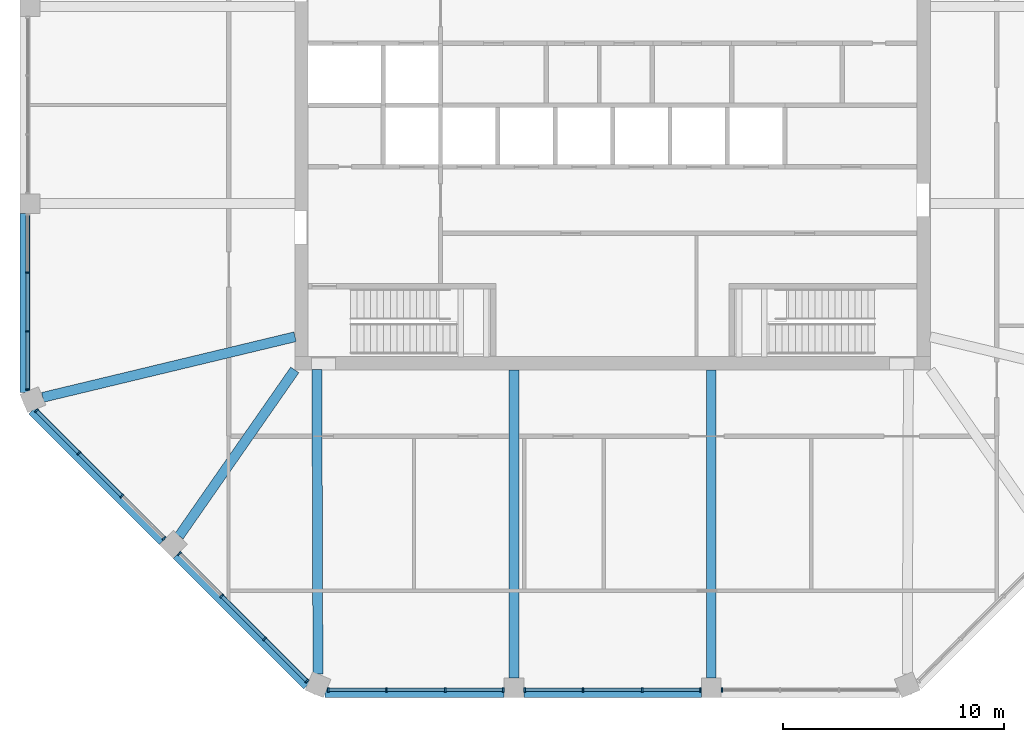
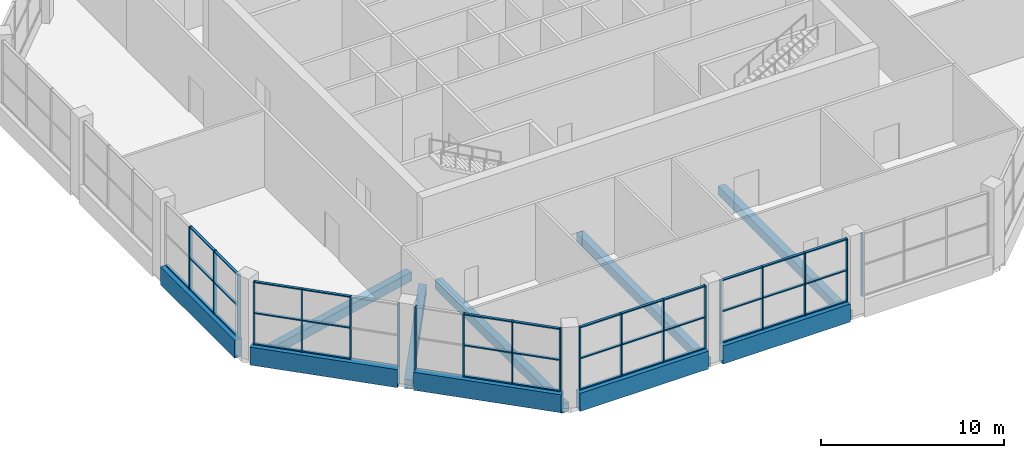
# One storey, part 2 of 15: 57 members, 10 beams, 6 elements without a shape of their own.
"""IFC4 building model written with IfcOpenShell, lengths in metres."""

from ifc_helpers import new_model, si_unit, direction, frame, origin, origin_2d, place, context, subcontext, project, spatial, rectangle, extrude, material, material_profile, profile_set, type_object, element, aggregate, save


model = new_model("IFC4")

# Units and contexts
model_context = context("Model", 3, precision=1e-05, world=origin(), true_north=direction((0.0, 1.0)))
body_context = subcontext(model_context, "Body", "Model", "MODEL_VIEW")
ifc_project = project(units=[si_unit("LENGTHUNIT", "METRE"), si_unit("AREAUNIT", "SQUARE_METRE"), si_unit("VOLUMEUNIT", "CUBIC_METRE"), si_unit("PLANEANGLEUNIT", "RADIAN"), si_unit("MASSUNIT", "GRAM", prefix="KILO")], contexts=[model_context])

# Site, building, storey
site_placement = place(None, origin())
site = spatial("IfcSite", under=ifc_project, at=site_placement, CompositionType="ELEMENT")
building_placement = place(site_placement, origin())
building = spatial("IfcBuilding", under=site, at=building_placement, Name="Msitu Wima Residences", CompositionType="ELEMENT")
storey_placement = place(building_placement, frame((0.0, 0.0, 314.699951171875)))
storey = spatial("IfcBuildingStorey", under=building, at=storey_placement, Name="L73", CompositionType="ELEMENT", Elevation=314.699951171875)

# Beams
ifc_material_1 = material(Name="Concrete C50/60", Category="concrete")
ifc_material_profile_1 = material_profile(ifc_material_1, rectangle(XDim=0.449951171875, YDim=0.60009765625, at=origin_2d()), Name="RC 450x600")
ifc_profile_set_1 = profile_set([ifc_material_profile_1], Name="Concrete C50/60")
beam_type_1 = type_object("IfcBeamType", Name="Beam RC 450x600 Concrete C50/60", PredefinedType="BEAM", material=ifc_profile_set_1)
beam_1_placement = place(storey_placement, frame((-25.819091796875, -13.242431640625, -0.599853515625), z_axis=(0.972353359268, 0.233514335148, 0.0), x_axis=(-0.233514335148, 0.972353359268, 0.0)))
element("IfcBeam", 1, at=beam_1_placement, inside=storey, type_object=beam_type_1, Name="Beam L73 C-SW0", PredefinedType="BEAM", context=body_context, shape_type="SweptSolid", body=[
    extrude(rectangle(XDim=0.449951171875, YDim=0.60009765625, at=origin_2d()), origin(), (0.0, 0.0, 1.0), 11.755615234375),
])
beam_2_placement = place(storey_placement, frame((-19.6416015625, -19.52783203125, -0.599853515625), z_axis=(0.571427822633, 0.820652328042, 0.0), x_axis=(-0.820652328042, 0.571427822633, 0.0)))
element("IfcBeam", 2, at=beam_2_placement, inside=storey, type_object=beam_type_1, Name="Beam L73 C-SW1", PredefinedType="BEAM", context=body_context, shape_type="SweptSolid", body=[
    extrude(rectangle(XDim=0.449951171875, YDim=0.60009765625, at=origin_2d()), origin(), (0.0, 0.0, 1.0), 9.173095703125),
])
beam_3_placement = place(storey_placement, frame((-13.3505859375, -25.774169921875, -0.599853515625), z_axis=(-0.003594933206, 0.999993538207, 0.0), x_axis=(-0.999993538207, -0.003594933206, 0.0)))
element("IfcBeam", 3, at=beam_3_placement, inside=storey, type_object=beam_type_1, Name="Beam L73 C-S0", PredefinedType="BEAM", context=body_context, shape_type="SweptSolid", body=[
    extrude(rectangle(XDim=0.449951171875, YDim=0.60009765625, at=origin_2d()), origin(), (0.0, 0.0, 1.0), 13.7861328125),
])
for number, where, z_axis, x_axis, name in (
    (4, (-4.46875, -25.949951171875, -0.599853515625), (0.0, 1.0, 0.0), (-1.0, 0.0, 0.0), "Beam L73 C-S1"),
    (5, (4.46875, -25.949951171875, -0.599853515625), (0.0, 1.0, 0.0), (-1.0, 0.0, 0.0), "Beam L73 C-S2"),
):
    element("IfcBeam", number, at=place(storey_placement, frame(where, z_axis=z_axis, x_axis=x_axis)), inside=storey, type_object=beam_type_1, Name=name, PredefinedType="BEAM", context=body_context, shape_type="SweptSolid", body=[
        extrude(rectangle(XDim=0.449951171875, YDim=0.60009765625, at=origin_2d()), origin(), (0.0, 0.0, 1.0), 13.949951171875),
    ])

# Curtain wall, members
ifc_material_2 = material(Name="Anodised aluminium, bronze finish, solar control laminated double glazing", Category="aluminium")
curtain_wall_type = type_object("IfcCurtainWallType", Name="Curtain wall CW3 top lounge wall", PredefinedType="NOTDEFINED", material=ifc_material_2)
curtain_wall_1_placement = place(storey_placement, origin())
curtain_wall_1 = element("IfcCurtainWall", 6, at=curtain_wall_1_placement, inside=storey, type_object=curtain_wall_type, Name="Curtain wall CW3 L73 W2", PredefinedType="NOTDEFINED")
ifc_material_3 = material(Name="Anodised aluminium, bronze finish", Category="aluminium")
ifc_material_profile_2 = material_profile(ifc_material_3, rectangle(XDim=0.199951171875, YDim=0.074951171875, at=origin_2d()), Name="Mullion 75x200")
ifc_profile_set_2 = profile_set([ifc_material_profile_2], Name="Anodised aluminium, bronze finish")
member_type_1 = type_object("IfcMemberType", Name="Mullion CW3 75x200", PredefinedType="MULLION", material=ifc_profile_set_2)
member_1_placement = place(storey_placement, frame((-26.5, -7.58544921875, 0.900146484375), z_axis=(0.0, 0.0, 1.0), x_axis=(1.0, 0.0, 0.0)))
member_1 = element("IfcMember", 7, at=member_1_placement, type_object=member_type_1, Name="CW3 mullion 2", PredefinedType="MULLION", context=body_context, shape_type="SweptSolid", body=[
    extrude(rectangle(XDim=0.199951171875, YDim=0.074951171875, at=origin_2d()), origin(), (0.0, 0.0, 1.0), 4.199951171875),
])
member_2_placement = place(storey_placement, frame((-26.5, -10.252197265625, 0.900146484375), z_axis=(0.0, 0.0, 1.0), x_axis=(1.0, 0.0, 0.0)))
member_2 = element("IfcMember", 8, at=member_2_placement, type_object=member_type_1, Name="CW3 mullion 3", PredefinedType="MULLION", context=body_context, shape_type="SweptSolid", body=[
    extrude(rectangle(XDim=0.199951171875, YDim=0.074951171875, at=origin_2d()), origin(), (0.0, 0.0, 1.0), 4.199951171875),
])
member_3_placement = place(storey_placement, frame((-26.5, -12.88134765625, 0.900146484375), z_axis=(0.0, 0.0, 1.0), x_axis=(1.0, 0.0, 0.0)))
member_3 = element("IfcMember", 9, at=member_3_placement, type_object=member_type_1, Name="CW3 mullion 4", PredefinedType="MULLION", context=body_context, shape_type="SweptSolid", body=[
    extrude(rectangle(XDim=0.199951171875, YDim=0.074951171875, at=origin_2d()), origin(), (0.0, 0.0, 1.0), 4.199951171875),
])

curtain_wall_2_placement = place(storey_placement, origin())
curtain_wall_2 = element("IfcCurtainWall", 10, at=curtain_wall_2_placement, inside=storey, type_object=curtain_wall_type, Name="Curtain wall CW3 L73 SW0", PredefinedType="NOTDEFINED")
member_4_placement = place(storey_placement, frame((-26.099853515625, -13.847412109375, 0.900146484375), z_axis=(0.0, 0.0, 1.0), x_axis=(0.707106781187, 0.707106781187, 0.0)))
member_4 = element("IfcMember", 11, at=member_4_placement, type_object=member_type_1, Name="CW3 mullion 1", PredefinedType="MULLION", context=body_context, shape_type="SweptSolid", body=[
    extrude(rectangle(XDim=0.199951171875, YDim=0.074951171875, at=origin_2d()), origin(), (0.0, 0.0, 1.0), 4.199951171875),
])
member_5_placement = place(storey_placement, frame((-24.181396484375, -15.765869140625, 0.900146484375), z_axis=(0.0, 0.0, 1.0), x_axis=(0.707106781187, 0.707106781187, 0.0)))
member_5 = element("IfcMember", 12, at=member_5_placement, type_object=member_type_1, Name="CW3 mullion 2", PredefinedType="MULLION", context=body_context, shape_type="SweptSolid", body=[
    extrude(rectangle(XDim=0.199951171875, YDim=0.074951171875, at=origin_2d()), origin(), (0.0, 0.0, 1.0), 4.199951171875),
])
member_6_placement = place(storey_placement, frame((-22.236572265625, -17.710693359375, 0.900146484375), z_axis=(0.0, 0.0, 1.0), x_axis=(0.707106781187, 0.707106781187, 0.0)))
member_6 = element("IfcMember", 13, at=member_6_placement, type_object=member_type_1, Name="CW3 mullion 3", PredefinedType="MULLION", context=body_context, shape_type="SweptSolid", body=[
    extrude(rectangle(XDim=0.199951171875, YDim=0.074951171875, at=origin_2d()), origin(), (0.0, 0.0, 1.0), 4.199951171875),
])
member_7_placement = place(storey_placement, frame((-20.318359375, -19.62890625, 0.900146484375), z_axis=(0.0, 0.0, 1.0), x_axis=(0.707106781187, 0.707106781187, 0.0)))
member_7 = element("IfcMember", 14, at=member_7_placement, type_object=member_type_1, Name="CW3 mullion 4", PredefinedType="MULLION", context=body_context, shape_type="SweptSolid", body=[
    extrude(rectangle(XDim=0.199951171875, YDim=0.074951171875, at=origin_2d()), origin(), (0.0, 0.0, 1.0), 4.199951171875),
])

curtain_wall_3_placement = place(storey_placement, origin())
curtain_wall_3 = element("IfcCurtainWall", 15, at=curtain_wall_3_placement, inside=storey, type_object=curtain_wall_type, Name="Curtain wall CW3 L73 SW1", PredefinedType="NOTDEFINED")
member_8_placement = place(storey_placement, frame((-19.62890625, -20.318359375, 0.900146484375), z_axis=(0.0, 0.0, 1.0), x_axis=(0.707106720591, 0.707106841783, 0.0)))
member_8 = element("IfcMember", 16, at=member_8_placement, type_object=member_type_1, Name="CW3 mullion 1", PredefinedType="MULLION", context=body_context, shape_type="SweptSolid", body=[
    extrude(rectangle(XDim=0.199951171875, YDim=0.074951171875, at=origin_2d()), origin(), (0.0, 0.0, 1.0), 4.199951171875),
])
member_9_placement = place(storey_placement, frame((-17.710693359375, -22.236572265625, 0.900146484375), z_axis=(0.0, 0.0, 1.0), x_axis=(0.707106720591, 0.707106841783, 0.0)))
member_9 = element("IfcMember", 17, at=member_9_placement, type_object=member_type_1, Name="CW3 mullion 2", PredefinedType="MULLION", context=body_context, shape_type="SweptSolid", body=[
    extrude(rectangle(XDim=0.199951171875, YDim=0.074951171875, at=origin_2d()), origin(), (0.0, 0.0, 1.0), 4.199951171875),
])
member_10_placement = place(storey_placement, frame((-15.765869140625, -24.181396484375, 0.900146484375), z_axis=(0.0, 0.0, 1.0), x_axis=(0.707106720591, 0.707106841783, 0.0)))
member_10 = element("IfcMember", 18, at=member_10_placement, type_object=member_type_1, Name="CW3 mullion 3", PredefinedType="MULLION", context=body_context, shape_type="SweptSolid", body=[
    extrude(rectangle(XDim=0.199951171875, YDim=0.074951171875, at=origin_2d()), origin(), (0.0, 0.0, 1.0), 4.199951171875),
])
member_11_placement = place(storey_placement, frame((-13.847412109375, -26.099853515625, 0.900146484375), z_axis=(0.0, 0.0, 1.0), x_axis=(0.707106720591, 0.707106841783, 0.0)))
member_11 = element("IfcMember", 19, at=member_11_placement, type_object=member_type_1, Name="CW3 mullion 4", PredefinedType="MULLION", context=body_context, shape_type="SweptSolid", body=[
    extrude(rectangle(XDim=0.199951171875, YDim=0.074951171875, at=origin_2d()), origin(), (0.0, 0.0, 1.0), 4.199951171875),
])

curtain_wall_4_placement = place(storey_placement, origin())
curtain_wall_4 = element("IfcCurtainWall", 20, at=curtain_wall_4_placement, inside=storey, type_object=curtain_wall_type, Name="Curtain wall CW3 L73 S0", PredefinedType="NOTDEFINED")
member_12_placement = place(storey_placement, frame((-12.88134765625, -26.5, 0.900146484375), z_axis=(0.0, 0.0, 1.0), x_axis=(0.0, 1.0, 0.0)))
member_12 = element("IfcMember", 21, at=member_12_placement, type_object=member_type_1, Name="CW3 mullion 1", PredefinedType="MULLION", context=body_context, shape_type="SweptSolid", body=[
    extrude(rectangle(XDim=0.199951171875, YDim=0.074951171875, at=origin_2d()), origin(), (0.0, 0.0, 1.0), 4.199951171875),
])
member_13_placement = place(storey_placement, frame((-10.252197265625, -26.5, 0.900146484375), z_axis=(0.0, 0.0, 1.0), x_axis=(0.0, 1.0, 0.0)))
member_13 = element("IfcMember", 22, at=member_13_placement, type_object=member_type_1, Name="CW3 mullion 2", PredefinedType="MULLION", context=body_context, shape_type="SweptSolid", body=[
    extrude(rectangle(XDim=0.199951171875, YDim=0.074951171875, at=origin_2d()), origin(), (0.0, 0.0, 1.0), 4.199951171875),
])
member_14_placement = place(storey_placement, frame((-7.58544921875, -26.5, 0.900146484375), z_axis=(0.0, 0.0, 1.0), x_axis=(0.0, 1.0, 0.0)))
member_14 = element("IfcMember", 23, at=member_14_placement, type_object=member_type_1, Name="CW3 mullion 3", PredefinedType="MULLION", context=body_context, shape_type="SweptSolid", body=[
    extrude(rectangle(XDim=0.199951171875, YDim=0.074951171875, at=origin_2d()), origin(), (0.0, 0.0, 1.0), 4.199951171875),
])
member_15_placement = place(storey_placement, frame((-4.9560546875, -26.5, 0.900146484375), z_axis=(0.0, 0.0, 1.0), x_axis=(0.0, 1.0, 0.0)))
member_15 = element("IfcMember", 24, at=member_15_placement, type_object=member_type_1, Name="CW3 mullion 4", PredefinedType="MULLION", context=body_context, shape_type="SweptSolid", body=[
    extrude(rectangle(XDim=0.199951171875, YDim=0.074951171875, at=origin_2d()), origin(), (0.0, 0.0, 1.0), 4.199951171875),
])

curtain_wall_5_placement = place(storey_placement, origin())
curtain_wall_5 = element("IfcCurtainWall", 25, at=curtain_wall_5_placement, inside=storey, type_object=curtain_wall_type, Name="Curtain wall CW3 L73 S1", PredefinedType="NOTDEFINED")
member_16_placement = place(storey_placement, frame((-3.981201171875, -26.5, 0.900146484375), z_axis=(0.0, 0.0, 1.0), x_axis=(0.0, 1.0, 0.0)))
member_16 = element("IfcMember", 26, at=member_16_placement, type_object=member_type_1, Name="CW3 mullion 1", PredefinedType="MULLION", context=body_context, shape_type="SweptSolid", body=[
    extrude(rectangle(XDim=0.199951171875, YDim=0.074951171875, at=origin_2d()), origin(), (0.0, 0.0, 1.0), 4.199951171875),
])
member_17_placement = place(storey_placement, frame((-1.339599609375, -26.5, 0.900146484375), z_axis=(0.0, 0.0, 1.0), x_axis=(0.0, 1.0, 0.0)))
member_17 = element("IfcMember", 27, at=member_17_placement, type_object=member_type_1, Name="CW3 mullion 2", PredefinedType="MULLION", context=body_context, shape_type="SweptSolid", body=[
    extrude(rectangle(XDim=0.199951171875, YDim=0.074951171875, at=origin_2d()), origin(), (0.0, 0.0, 1.0), 4.199951171875),
])
member_18_placement = place(storey_placement, frame((1.339599609375, -26.5, 0.900146484375), z_axis=(0.0, 0.0, 1.0), x_axis=(0.0, 1.0, 0.0)))
member_18 = element("IfcMember", 28, at=member_18_placement, type_object=member_type_1, Name="CW3 mullion 3", PredefinedType="MULLION", context=body_context, shape_type="SweptSolid", body=[
    extrude(rectangle(XDim=0.199951171875, YDim=0.074951171875, at=origin_2d()), origin(), (0.0, 0.0, 1.0), 4.199951171875),
])
member_19_placement = place(storey_placement, frame((3.981201171875, -26.5, 0.900146484375), z_axis=(0.0, 0.0, 1.0), x_axis=(0.0, 1.0, 0.0)))
member_19 = element("IfcMember", 29, at=member_19_placement, type_object=member_type_1, Name="CW3 mullion 4", PredefinedType="MULLION", context=body_context, shape_type="SweptSolid", body=[
    extrude(rectangle(XDim=0.199951171875, YDim=0.074951171875, at=origin_2d()), origin(), (0.0, 0.0, 1.0), 4.199951171875),
])

# Curtain wall, member
curtain_wall_6_placement = place(storey_placement, origin())
curtain_wall_6 = element("IfcCurtainWall", 30, at=curtain_wall_6_placement, inside=storey, type_object=curtain_wall_type, Name="Curtain wall CW3 L73 S2", PredefinedType="NOTDEFINED")
member_20_placement = place(storey_placement, frame((4.9560546875, -26.5, 0.900146484375), z_axis=(0.0, 0.0, 1.0), x_axis=(0.0, 1.0, 0.0)))
member_20 = element("IfcMember", 31, at=member_20_placement, type_object=member_type_1, Name="CW3 mullion 1", PredefinedType="MULLION", context=body_context, shape_type="SweptSolid", body=[
    extrude(rectangle(XDim=0.199951171875, YDim=0.074951171875, at=origin_2d()), origin(), (0.0, 0.0, 1.0), 4.199951171875),
])
aggregate(curtain_wall_6, [member_20])

# Beams
ifc_material_profile_3 = material_profile(ifc_material_1, rectangle(XDim=0.449951171875, YDim=1.199951171875, at=origin_2d()), Name="RC 450x1200")
ifc_profile_set_3 = profile_set([ifc_material_profile_3], Name="Concrete C50/60")
beam_type_2 = type_object("IfcBeamType", Name="Spandrel RC 450x1200 Concrete C50/60", PredefinedType="SPANDREL", material=ifc_profile_set_3)
beam_4_placement = place(storey_placement, frame((-26.625, -4.918701171875, 0.300048828125), z_axis=(0.0, -1.0, 0.0), x_axis=(1.0, 0.0, 0.0)))
element("IfcBeam", 32, at=beam_4_placement, inside=storey, type_object=beam_type_2, Name="Spandrel L73 W2", PredefinedType="SPANDREL", context=body_context, shape_type="SweptSolid", body=[
    extrude(rectangle(XDim=0.449951171875, YDim=1.199951171875, at=origin_2d()), origin(), (0.0, 0.0, 1.0), 8.105224609375),
])
for number, where, z_axis, x_axis, name in (
    (33, (-26.2890625, -13.8349609375, 0.300048828125), (0.707106781187, -0.707106781187, 0.0), (0.707106781187, 0.707106781187, 0.0), "Spandrel L73 SW0"),
    (34, (-19.743896484375, -20.380126953125, 0.300048828125), (0.707106781187, -0.707106781187, 0.0), (0.707106781187, 0.707106781187, 0.0), "Spandrel L73 SW1"),
):
    element("IfcBeam", number, at=place(storey_placement, frame(where, z_axis=z_axis, x_axis=x_axis)), inside=storey, type_object=beam_type_2, Name=name, PredefinedType="SPANDREL", context=body_context, shape_type="SweptSolid", body=[
        extrude(rectangle(XDim=0.449951171875, YDim=1.199951171875, at=origin_2d()), origin(), (0.0, 0.0, 1.0), 8.3564453125),
    ])
beam_5_placement = place(storey_placement, frame((-13.02392578125, -26.625, 0.300048828125), z_axis=(1.0, 0.0, 0.0), x_axis=(0.0, 1.0, 0.0)))
element("IfcBeam", 35, at=beam_5_placement, inside=storey, type_object=beam_type_2, Name="Spandrel L73 S0", PredefinedType="SPANDREL", context=body_context, shape_type="SweptSolid", body=[
    extrude(rectangle(XDim=0.449951171875, YDim=1.199951171875, at=origin_2d()), origin(), (0.0, 0.0, 1.0), 8.105224609375),
])
beam_6_placement = place(storey_placement, frame((-4.0185546875, -26.625, 0.300048828125), z_axis=(1.0, 0.0, 0.0), x_axis=(0.0, 1.0, 0.0)))
element("IfcBeam", 36, at=beam_6_placement, inside=storey, type_object=beam_type_2, Name="Spandrel L73 S1", PredefinedType="SPANDREL", context=body_context, shape_type="SweptSolid", body=[
    extrude(rectangle(XDim=0.449951171875, YDim=1.199951171875, at=origin_2d()), origin(), (0.0, 0.0, 1.0), 8.037109375),
])

# Member
ifc_material_profile_4 = material_profile(ifc_material_3, rectangle(XDim=0.159912109375, YDim=0.074951171875, at=origin_2d()), Name="Transom 75x160")
ifc_profile_set_4 = profile_set([ifc_material_profile_4], Name="Anodised aluminium, bronze finish")
member_type_2 = type_object("IfcMemberType", Name="Transom CW3 75x160", PredefinedType="USERDEFINED", material=ifc_profile_set_4)
member_21_placement = place(storey_placement, frame((-26.5, -4.99365234375, 0.9375), z_axis=(0.0, -1.0, 0.0), x_axis=(1.0, 0.0, 0.0)))
member_21 = element("IfcMember", 37, at=member_21_placement, type_object=member_type_2, Name="CW3 transom 1.1", ObjectType="TRANSOM", PredefinedType="USERDEFINED", context=body_context, shape_type="SweptSolid", body=[
    extrude(rectangle(XDim=0.159912109375, YDim=0.074951171875, at=origin_2d()), origin(), (0.0, 0.0, 1.0), 2.55419921875),
])

member_22_placement = place(storey_placement, frame((-26.5, -7.622802734375, 0.9375), z_axis=(0.0, -1.0, 0.0), x_axis=(1.0, 0.0, 0.0)))
member_22 = element("IfcMember", 38, at=member_22_placement, type_object=member_type_2, Name="CW3 transom 2.1", ObjectType="TRANSOM", PredefinedType="USERDEFINED", context=body_context, shape_type="SweptSolid", body=[
    extrude(rectangle(XDim=0.159912109375, YDim=0.074951171875, at=origin_2d()), origin(), (0.0, 0.0, 1.0), 2.591796875),
])

member_23_placement = place(storey_placement, frame((-26.5, -7.622802734375, 3.0), z_axis=(0.0, -1.0, 0.0), x_axis=(1.0, 0.0, 0.0)))
member_23 = element("IfcMember", 39, at=member_23_placement, type_object=member_type_2, Name="CW3 transom 2.2", ObjectType="TRANSOM", PredefinedType="USERDEFINED", context=body_context, shape_type="SweptSolid", body=[
    extrude(rectangle(XDim=0.159912109375, YDim=0.074951171875, at=origin_2d()), origin(), (0.0, 0.0, 1.0), 2.591796875),
])

member_24_placement = place(storey_placement, frame((-26.5, -7.622802734375, 5.0625), z_axis=(0.0, -1.0, 0.0), x_axis=(1.0, 0.0, 0.0)))
member_24 = element("IfcMember", 40, at=member_24_placement, type_object=member_type_2, Name="CW3 transom 2.3", ObjectType="TRANSOM", PredefinedType="USERDEFINED", context=body_context, shape_type="SweptSolid", body=[
    extrude(rectangle(XDim=0.159912109375, YDim=0.074951171875, at=origin_2d()), origin(), (0.0, 0.0, 1.0), 2.591796875),
])

member_25_placement = place(storey_placement, frame((-26.5, -10.28955078125, 0.9375), z_axis=(0.0, -1.0, 0.0), x_axis=(1.0, 0.0, 0.0)))
member_25 = element("IfcMember", 41, at=member_25_placement, type_object=member_type_2, Name="CW3 transom 3.1", ObjectType="TRANSOM", PredefinedType="USERDEFINED", context=body_context, shape_type="SweptSolid", body=[
    extrude(rectangle(XDim=0.159912109375, YDim=0.074951171875, at=origin_2d()), origin(), (0.0, 0.0, 1.0), 2.55419921875),
])

member_26_placement = place(storey_placement, frame((-26.5, -10.28955078125, 3.0), z_axis=(0.0, -1.0, 0.0), x_axis=(1.0, 0.0, 0.0)))
member_26 = element("IfcMember", 42, at=member_26_placement, type_object=member_type_2, Name="CW3 transom 3.2", ObjectType="TRANSOM", PredefinedType="USERDEFINED", context=body_context, shape_type="SweptSolid", body=[
    extrude(rectangle(XDim=0.159912109375, YDim=0.074951171875, at=origin_2d()), origin(), (0.0, 0.0, 1.0), 2.55419921875),
])

member_27_placement = place(storey_placement, frame((-26.5, -10.28955078125, 5.0625), z_axis=(0.0, -1.0, 0.0), x_axis=(1.0, 0.0, 0.0)))
member_27 = element("IfcMember", 43, at=member_27_placement, type_object=member_type_2, Name="CW3 transom 3.3", ObjectType="TRANSOM", PredefinedType="USERDEFINED", context=body_context, shape_type="SweptSolid", body=[
    extrude(rectangle(XDim=0.159912109375, YDim=0.074951171875, at=origin_2d()), origin(), (0.0, 0.0, 1.0), 2.55419921875),
])

aggregate(curtain_wall_1, [member_1, member_2, member_3, member_21, member_22, member_23, member_24, member_25, member_26, member_27])

member_28_placement = place(storey_placement, frame((-26.0732421875, -13.8740234375, 0.9375), z_axis=(0.707106781187, -0.707106781187, 0.0), x_axis=(0.707106781187, 0.707106781187, 0.0)))
member_28 = element("IfcMember", 44, at=member_28_placement, type_object=member_type_2, Name="CW3 transom 1.1", ObjectType="TRANSOM", PredefinedType="USERDEFINED", context=body_context, shape_type="SweptSolid", body=[
    extrude(rectangle(XDim=0.159912109375, YDim=0.074951171875, at=origin_2d()), origin(), (0.0, 0.0, 1.0), 2.637939453125),
])

member_29_placement = place(storey_placement, frame((-26.0732421875, -13.8740234375, 3.0), z_axis=(0.707106781187, -0.707106781187, 0.0), x_axis=(0.707106781187, 0.707106781187, 0.0)))
member_29 = element("IfcMember", 45, at=member_29_placement, type_object=member_type_2, Name="CW3 transom 1.2", ObjectType="TRANSOM", PredefinedType="USERDEFINED", context=body_context, shape_type="SweptSolid", body=[
    extrude(rectangle(XDim=0.159912109375, YDim=0.074951171875, at=origin_2d()), origin(), (0.0, 0.0, 1.0), 2.637939453125),
])

member_30_placement = place(storey_placement, frame((-26.0732421875, -13.8740234375, 5.0625), z_axis=(0.707106781187, -0.707106781187, 0.0), x_axis=(0.707106781187, 0.707106781187, 0.0)))
member_30 = element("IfcMember", 46, at=member_30_placement, type_object=member_type_2, Name="CW3 transom 1.3", ObjectType="TRANSOM", PredefinedType="USERDEFINED", context=body_context, shape_type="SweptSolid", body=[
    extrude(rectangle(XDim=0.159912109375, YDim=0.074951171875, at=origin_2d()), origin(), (0.0, 0.0, 1.0), 2.637939453125),
])

member_31_placement = place(storey_placement, frame((-24.155029296875, -15.792236328125, 0.9375), z_axis=(0.707106781187, -0.707106781187, 0.0), x_axis=(0.707106781187, 0.707106781187, 0.0)))
member_31 = element("IfcMember", 47, at=member_31_placement, type_object=member_type_2, Name="CW3 transom 2.1", ObjectType="TRANSOM", PredefinedType="USERDEFINED", context=body_context, shape_type="SweptSolid", body=[
    extrude(rectangle(XDim=0.159912109375, YDim=0.074951171875, at=origin_2d()), origin(), (0.0, 0.0, 1.0), 2.675537109375),
])

member_32_placement = place(storey_placement, frame((-24.155029296875, -15.792236328125, 3.0), z_axis=(0.707106781187, -0.707106781187, 0.0), x_axis=(0.707106781187, 0.707106781187, 0.0)))
member_32 = element("IfcMember", 48, at=member_32_placement, type_object=member_type_2, Name="CW3 transom 2.2", ObjectType="TRANSOM", PredefinedType="USERDEFINED", context=body_context, shape_type="SweptSolid", body=[
    extrude(rectangle(XDim=0.159912109375, YDim=0.074951171875, at=origin_2d()), origin(), (0.0, 0.0, 1.0), 2.675537109375),
])

member_33_placement = place(storey_placement, frame((-24.155029296875, -15.792236328125, 5.0625), z_axis=(0.707106781187, -0.707106781187, 0.0), x_axis=(0.707106781187, 0.707106781187, 0.0)))
member_33 = element("IfcMember", 49, at=member_33_placement, type_object=member_type_2, Name="CW3 transom 2.3", ObjectType="TRANSOM", PredefinedType="USERDEFINED", context=body_context, shape_type="SweptSolid", body=[
    extrude(rectangle(XDim=0.159912109375, YDim=0.074951171875, at=origin_2d()), origin(), (0.0, 0.0, 1.0), 2.675537109375),
])

aggregate(curtain_wall_2, [member_4, member_5, member_6, member_7, member_28, member_29, member_30, member_31, member_32, member_33])

member_34_placement = place(storey_placement, frame((-17.68408203125, -22.26318359375, 0.9375), z_axis=(0.707106781187, -0.707106781187, 0.0), x_axis=(0.707106781187, 0.707106781187, 0.0)))
member_34 = element("IfcMember", 50, at=member_34_placement, type_object=member_type_2, Name="CW3 transom 2.1", ObjectType="TRANSOM", PredefinedType="USERDEFINED", context=body_context, shape_type="SweptSolid", body=[
    extrude(rectangle(XDim=0.159912109375, YDim=0.074951171875, at=origin_2d()), origin(), (0.0, 0.0, 1.0), 2.675537109375),
])

member_35_placement = place(storey_placement, frame((-17.68408203125, -22.26318359375, 3.0), z_axis=(0.707106781187, -0.707106781187, 0.0), x_axis=(0.707106781187, 0.707106781187, 0.0)))
member_35 = element("IfcMember", 51, at=member_35_placement, type_object=member_type_2, Name="CW3 transom 2.2", ObjectType="TRANSOM", PredefinedType="USERDEFINED", context=body_context, shape_type="SweptSolid", body=[
    extrude(rectangle(XDim=0.159912109375, YDim=0.074951171875, at=origin_2d()), origin(), (0.0, 0.0, 1.0), 2.675537109375),
])

member_36_placement = place(storey_placement, frame((-17.68408203125, -22.26318359375, 5.0625), z_axis=(0.707106781187, -0.707106781187, 0.0), x_axis=(0.707106781187, 0.707106781187, 0.0)))
member_36 = element("IfcMember", 52, at=member_36_placement, type_object=member_type_2, Name="CW3 transom 2.3", ObjectType="TRANSOM", PredefinedType="USERDEFINED", context=body_context, shape_type="SweptSolid", body=[
    extrude(rectangle(XDim=0.159912109375, YDim=0.074951171875, at=origin_2d()), origin(), (0.0, 0.0, 1.0), 2.675537109375),
])

member_37_placement = place(storey_placement, frame((-15.7392578125, -24.2080078125, 0.9375), z_axis=(0.707106781187, -0.707106781187, 0.0), x_axis=(0.707106781187, 0.707106781187, 0.0)))
member_37 = element("IfcMember", 53, at=member_37_placement, type_object=member_type_2, Name="CW3 transom 3.1", ObjectType="TRANSOM", PredefinedType="USERDEFINED", context=body_context, shape_type="SweptSolid", body=[
    extrude(rectangle(XDim=0.159912109375, YDim=0.074951171875, at=origin_2d()), origin(), (0.0, 0.0, 1.0), 2.637939453125),
])

member_38_placement = place(storey_placement, frame((-15.7392578125, -24.2080078125, 3.0), z_axis=(0.707106781187, -0.707106781187, 0.0), x_axis=(0.707106781187, 0.707106781187, 0.0)))
member_38 = element("IfcMember", 54, at=member_38_placement, type_object=member_type_2, Name="CW3 transom 3.2", ObjectType="TRANSOM", PredefinedType="USERDEFINED", context=body_context, shape_type="SweptSolid", body=[
    extrude(rectangle(XDim=0.159912109375, YDim=0.074951171875, at=origin_2d()), origin(), (0.0, 0.0, 1.0), 2.637939453125),
])

member_39_placement = place(storey_placement, frame((-15.7392578125, -24.2080078125, 5.0625), z_axis=(0.707106781187, -0.707106781187, 0.0), x_axis=(0.707106781187, 0.707106781187, 0.0)))
member_39 = element("IfcMember", 55, at=member_39_placement, type_object=member_type_2, Name="CW3 transom 3.3", ObjectType="TRANSOM", PredefinedType="USERDEFINED", context=body_context, shape_type="SweptSolid", body=[
    extrude(rectangle(XDim=0.159912109375, YDim=0.074951171875, at=origin_2d()), origin(), (0.0, 0.0, 1.0), 2.637939453125),
])

aggregate(curtain_wall_3, [member_8, member_9, member_10, member_11, member_34, member_35, member_36, member_37, member_38, member_39])

member_40_placement = place(storey_placement, frame((-12.84375, -26.5, 0.9375), z_axis=(1.0, 0.0, 0.0), x_axis=(0.0, 1.0, 0.0)))
member_40 = element("IfcMember", 56, at=member_40_placement, type_object=member_type_2, Name="CW3 transom 1.1", ObjectType="TRANSOM", PredefinedType="USERDEFINED", context=body_context, shape_type="SweptSolid", body=[
    extrude(rectangle(XDim=0.159912109375, YDim=0.074951171875, at=origin_2d()), origin(), (0.0, 0.0, 1.0), 2.55419921875),
])

member_41_placement = place(storey_placement, frame((-12.84375, -26.5, 3.0), z_axis=(1.0, 0.0, 0.0), x_axis=(0.0, 1.0, 0.0)))
member_41 = element("IfcMember", 57, at=member_41_placement, type_object=member_type_2, Name="CW3 transom 1.2", ObjectType="TRANSOM", PredefinedType="USERDEFINED", context=body_context, shape_type="SweptSolid", body=[
    extrude(rectangle(XDim=0.159912109375, YDim=0.074951171875, at=origin_2d()), origin(), (0.0, 0.0, 1.0), 2.55419921875),
])

member_42_placement = place(storey_placement, frame((-12.84375, -26.5, 5.0625), z_axis=(1.0, 0.0, 0.0), x_axis=(0.0, 1.0, 0.0)))
member_42 = element("IfcMember", 58, at=member_42_placement, type_object=member_type_2, Name="CW3 transom 1.3", ObjectType="TRANSOM", PredefinedType="USERDEFINED", context=body_context, shape_type="SweptSolid", body=[
    extrude(rectangle(XDim=0.159912109375, YDim=0.074951171875, at=origin_2d()), origin(), (0.0, 0.0, 1.0), 2.55419921875),
])

member_43_placement = place(storey_placement, frame((-10.214599609375, -26.5, 0.9375), z_axis=(1.0, 0.0, 0.0), x_axis=(0.0, 1.0, 0.0)))
member_43 = element("IfcMember", 59, at=member_43_placement, type_object=member_type_2, Name="CW3 transom 2.1", ObjectType="TRANSOM", PredefinedType="USERDEFINED", context=body_context, shape_type="SweptSolid", body=[
    extrude(rectangle(XDim=0.159912109375, YDim=0.074951171875, at=origin_2d()), origin(), (0.0, 0.0, 1.0), 2.591796875),
])

member_44_placement = place(storey_placement, frame((-10.214599609375, -26.5, 3.0), z_axis=(1.0, 0.0, 0.0), x_axis=(0.0, 1.0, 0.0)))
member_44 = element("IfcMember", 60, at=member_44_placement, type_object=member_type_2, Name="CW3 transom 2.2", ObjectType="TRANSOM", PredefinedType="USERDEFINED", context=body_context, shape_type="SweptSolid", body=[
    extrude(rectangle(XDim=0.159912109375, YDim=0.074951171875, at=origin_2d()), origin(), (0.0, 0.0, 1.0), 2.591796875),
])

member_45_placement = place(storey_placement, frame((-10.214599609375, -26.5, 5.0625), z_axis=(1.0, 0.0, 0.0), x_axis=(0.0, 1.0, 0.0)))
member_45 = element("IfcMember", 61, at=member_45_placement, type_object=member_type_2, Name="CW3 transom 2.3", ObjectType="TRANSOM", PredefinedType="USERDEFINED", context=body_context, shape_type="SweptSolid", body=[
    extrude(rectangle(XDim=0.159912109375, YDim=0.074951171875, at=origin_2d()), origin(), (0.0, 0.0, 1.0), 2.591796875),
])

member_46_placement = place(storey_placement, frame((-7.5478515625, -26.5, 0.9375), z_axis=(1.0, 0.0, 0.0), x_axis=(0.0, 1.0, 0.0)))
member_46 = element("IfcMember", 62, at=member_46_placement, type_object=member_type_2, Name="CW3 transom 3.1", ObjectType="TRANSOM", PredefinedType="USERDEFINED", context=body_context, shape_type="SweptSolid", body=[
    extrude(rectangle(XDim=0.159912109375, YDim=0.074951171875, at=origin_2d()), origin(), (0.0, 0.0, 1.0), 2.55419921875),
])

member_47_placement = place(storey_placement, frame((-7.5478515625, -26.5, 3.0), z_axis=(1.0, 0.0, 0.0), x_axis=(0.0, 1.0, 0.0)))
member_47 = element("IfcMember", 63, at=member_47_placement, type_object=member_type_2, Name="CW3 transom 3.2", ObjectType="TRANSOM", PredefinedType="USERDEFINED", context=body_context, shape_type="SweptSolid", body=[
    extrude(rectangle(XDim=0.159912109375, YDim=0.074951171875, at=origin_2d()), origin(), (0.0, 0.0, 1.0), 2.55419921875),
])

member_48_placement = place(storey_placement, frame((-7.5478515625, -26.5, 5.0625), z_axis=(1.0, 0.0, 0.0), x_axis=(0.0, 1.0, 0.0)))
member_48 = element("IfcMember", 64, at=member_48_placement, type_object=member_type_2, Name="CW3 transom 3.3", ObjectType="TRANSOM", PredefinedType="USERDEFINED", context=body_context, shape_type="SweptSolid", body=[
    extrude(rectangle(XDim=0.159912109375, YDim=0.074951171875, at=origin_2d()), origin(), (0.0, 0.0, 1.0), 2.55419921875),
])

aggregate(curtain_wall_4, [member_12, member_13, member_14, member_15, member_40, member_41, member_42, member_43, member_44, member_45, member_46, member_47, member_48])

member_49_placement = place(storey_placement, frame((-3.943603515625, -26.5, 0.9375), z_axis=(1.0, 0.0, 0.0), x_axis=(0.0, 1.0, 0.0)))
member_49 = element("IfcMember", 65, at=member_49_placement, type_object=member_type_2, Name="CW3 transom 1.1", ObjectType="TRANSOM", PredefinedType="USERDEFINED", context=body_context, shape_type="SweptSolid", body=[
    extrude(rectangle(XDim=0.159912109375, YDim=0.074951171875, at=origin_2d()), origin(), (0.0, 0.0, 1.0), 2.566650390625),
])

member_50_placement = place(storey_placement, frame((-3.943603515625, -26.5, 3.0), z_axis=(1.0, 0.0, 0.0), x_axis=(0.0, 1.0, 0.0)))
member_50 = element("IfcMember", 66, at=member_50_placement, type_object=member_type_2, Name="CW3 transom 1.2", ObjectType="TRANSOM", PredefinedType="USERDEFINED", context=body_context, shape_type="SweptSolid", body=[
    extrude(rectangle(XDim=0.159912109375, YDim=0.074951171875, at=origin_2d()), origin(), (0.0, 0.0, 1.0), 2.566650390625),
])

member_51_placement = place(storey_placement, frame((-3.943603515625, -26.5, 5.0625), z_axis=(1.0, 0.0, 0.0), x_axis=(0.0, 1.0, 0.0)))
member_51 = element("IfcMember", 67, at=member_51_placement, type_object=member_type_2, Name="CW3 transom 1.3", ObjectType="TRANSOM", PredefinedType="USERDEFINED", context=body_context, shape_type="SweptSolid", body=[
    extrude(rectangle(XDim=0.159912109375, YDim=0.074951171875, at=origin_2d()), origin(), (0.0, 0.0, 1.0), 2.566650390625),
])

member_52_placement = place(storey_placement, frame((-1.302001953125, -26.5, 0.9375), z_axis=(1.0, 0.0, 0.0), x_axis=(0.0, 1.0, 0.0)))
member_52 = element("IfcMember", 68, at=member_52_placement, type_object=member_type_2, Name="CW3 transom 2.1", ObjectType="TRANSOM", PredefinedType="USERDEFINED", context=body_context, shape_type="SweptSolid", body=[
    extrude(rectangle(XDim=0.159912109375, YDim=0.074951171875, at=origin_2d()), origin(), (0.0, 0.0, 1.0), 2.60400390625),
])

member_53_placement = place(storey_placement, frame((-1.302001953125, -26.5, 3.0), z_axis=(1.0, 0.0, 0.0), x_axis=(0.0, 1.0, 0.0)))
member_53 = element("IfcMember", 69, at=member_53_placement, type_object=member_type_2, Name="CW3 transom 2.2", ObjectType="TRANSOM", PredefinedType="USERDEFINED", context=body_context, shape_type="SweptSolid", body=[
    extrude(rectangle(XDim=0.159912109375, YDim=0.074951171875, at=origin_2d()), origin(), (0.0, 0.0, 1.0), 2.60400390625),
])

member_54_placement = place(storey_placement, frame((-1.302001953125, -26.5, 5.0625), z_axis=(1.0, 0.0, 0.0), x_axis=(0.0, 1.0, 0.0)))
member_54 = element("IfcMember", 70, at=member_54_placement, type_object=member_type_2, Name="CW3 transom 2.3", ObjectType="TRANSOM", PredefinedType="USERDEFINED", context=body_context, shape_type="SweptSolid", body=[
    extrude(rectangle(XDim=0.159912109375, YDim=0.074951171875, at=origin_2d()), origin(), (0.0, 0.0, 1.0), 2.60400390625),
])

member_55_placement = place(storey_placement, frame((1.376953125, -26.5, 0.9375), z_axis=(1.0, 0.0, 0.0), x_axis=(0.0, 1.0, 0.0)))
member_55 = element("IfcMember", 71, at=member_55_placement, type_object=member_type_2, Name="CW3 transom 3.1", ObjectType="TRANSOM", PredefinedType="USERDEFINED", context=body_context, shape_type="SweptSolid", body=[
    extrude(rectangle(XDim=0.159912109375, YDim=0.074951171875, at=origin_2d()), origin(), (0.0, 0.0, 1.0), 2.566650390625),
])

member_56_placement = place(storey_placement, frame((1.376953125, -26.5, 3.0), z_axis=(1.0, 0.0, 0.0), x_axis=(0.0, 1.0, 0.0)))
member_56 = element("IfcMember", 72, at=member_56_placement, type_object=member_type_2, Name="CW3 transom 3.2", ObjectType="TRANSOM", PredefinedType="USERDEFINED", context=body_context, shape_type="SweptSolid", body=[
    extrude(rectangle(XDim=0.159912109375, YDim=0.074951171875, at=origin_2d()), origin(), (0.0, 0.0, 1.0), 2.566650390625),
])

member_57_placement = place(storey_placement, frame((1.376953125, -26.5, 5.0625), z_axis=(1.0, 0.0, 0.0), x_axis=(0.0, 1.0, 0.0)))
member_57 = element("IfcMember", 73, at=member_57_placement, type_object=member_type_2, Name="CW3 transom 3.3", ObjectType="TRANSOM", PredefinedType="USERDEFINED", context=body_context, shape_type="SweptSolid", body=[
    extrude(rectangle(XDim=0.159912109375, YDim=0.074951171875, at=origin_2d()), origin(), (0.0, 0.0, 1.0), 2.566650390625),
])

aggregate(curtain_wall_5, [member_16, member_17, member_18, member_19, member_49, member_50, member_51, member_52, member_53, member_54, member_55, member_56, member_57])

save(model, "model.ifc")
